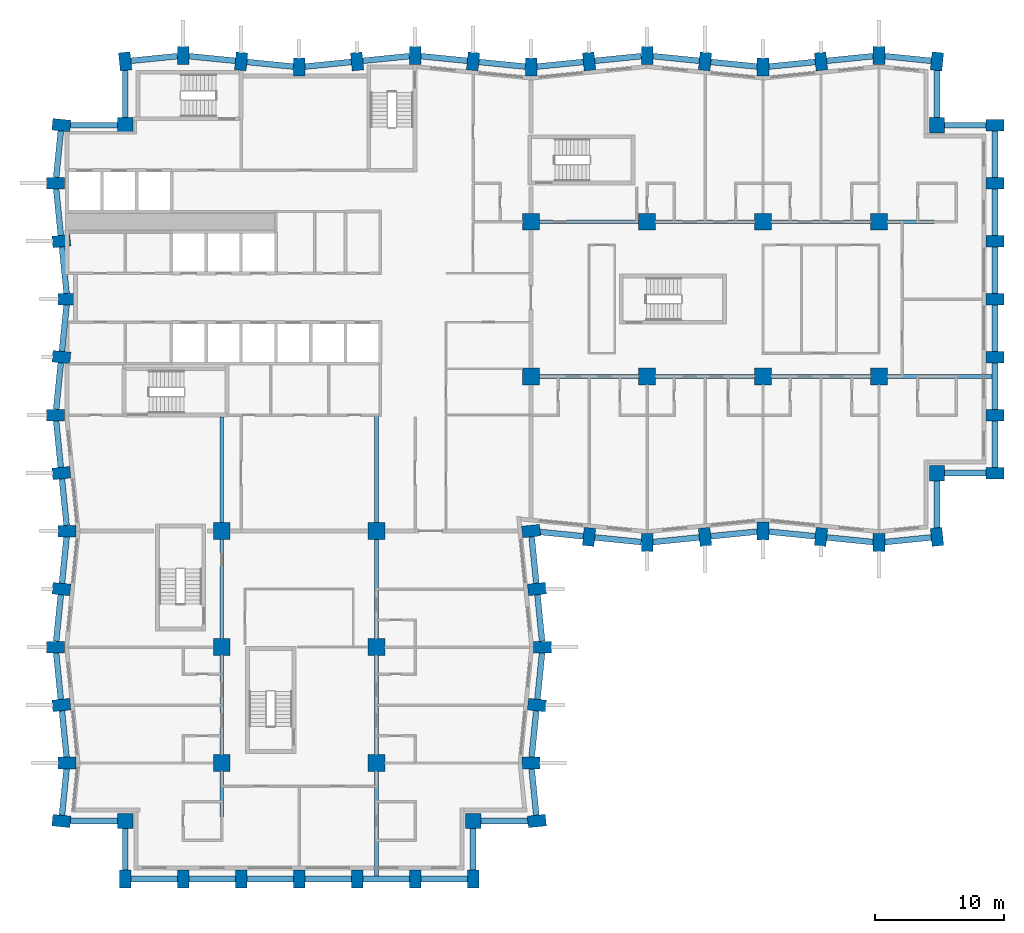
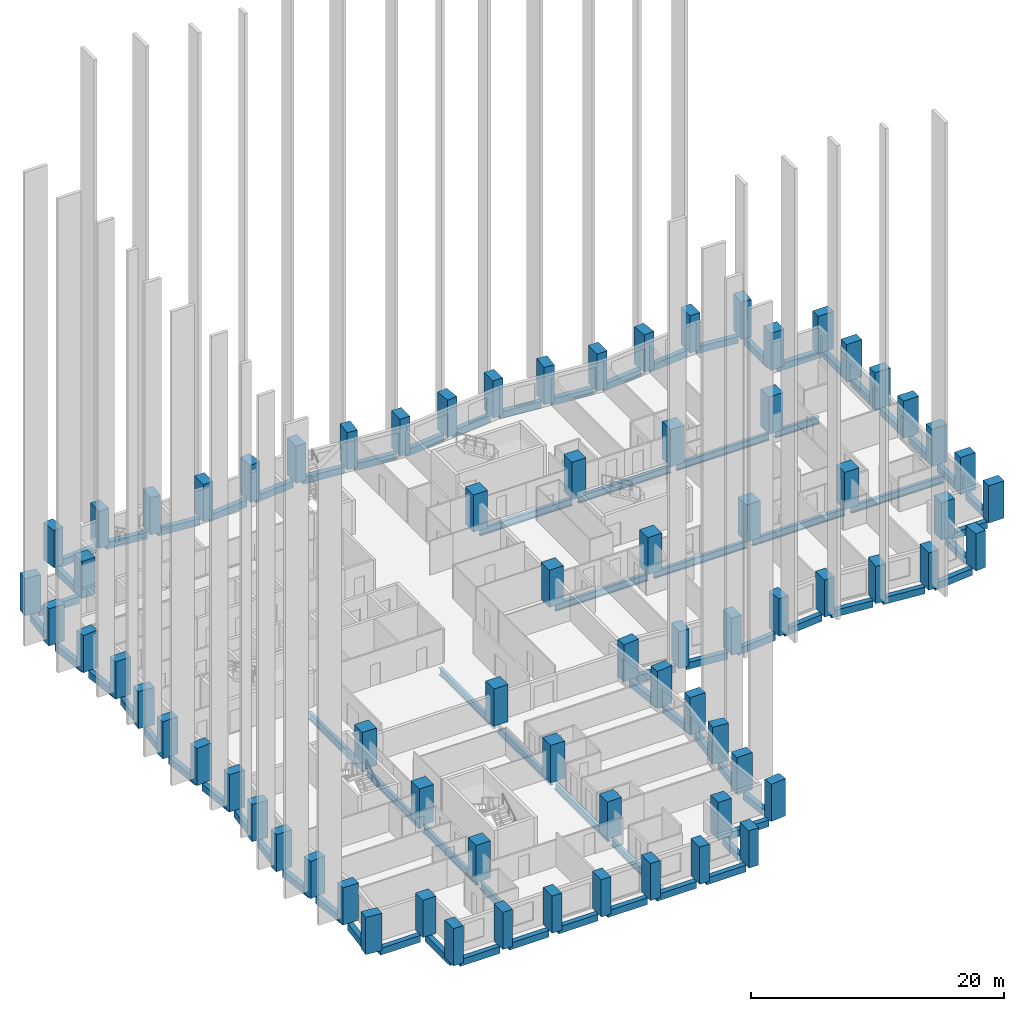
# One storey, part 1 of 13: 76 beams, 74 columns.
"""IFC4 building model written with IfcOpenShell, lengths in metres."""

from ifc_helpers import new_model, si_unit, direction, frame, origin, origin_2d, place, context, subcontext, project, spatial, rectangle, i_section, extrude, material, material_profile, profile_set, type_object, element, save


model = new_model("IFC4")

# Units and contexts
model_context = context("Model", 3, precision=1e-05, world=origin(), true_north=direction((0.0, 1.0)))
body_context = subcontext(model_context, "Body", "Model", "MODEL_VIEW")
ifc_project = project(units=[si_unit("LENGTHUNIT", "METRE"), si_unit("AREAUNIT", "SQUARE_METRE"), si_unit("VOLUMEUNIT", "CUBIC_METRE"), si_unit("PLANEANGLEUNIT", "RADIAN"), si_unit("MASSUNIT", "GRAM", prefix="KILO")], contexts=[model_context])

# Site, building, storey
site_placement = place(None, origin())
site = spatial("IfcSite", under=ifc_project, at=site_placement, CompositionType="ELEMENT")
building_placement = place(site_placement, origin())
building = spatial("IfcBuilding", under=site, at=building_placement, Name="Brondeck Convention Tower", CompositionType="ELEMENT")
storey_placement = place(building_placement, frame((0.0, 0.0, 37.5)))
storey = spatial("IfcBuildingStorey", under=building, at=storey_placement, Name="L06", CompositionType="ELEMENT", Elevation=37.5)

# Columns
ifc_material_1 = material(Name="Concrete C80/95", Category="concrete")
ifc_material_profile_1 = material_profile(ifc_material_1, rectangle(XDim=1.199951171875, YDim=1.199951171875, at=origin_2d()), Name="Corner column 1200x1200 Concrete C80/95")
ifc_profile_set_1 = profile_set([ifc_material_profile_1], Name="Concrete C80/95")
column_type_1 = type_object("IfcColumnType", Name="Corner column 1200x1200 Concrete C80/95", PredefinedType="COLUMN", material=ifc_profile_set_1)
for number, where, z_axis, x_axis, name in (
    (1, (4.5, 4.5, 0.0), (0.0, 0.0, 1.0), (1.0, 0.0, 0.0), "STR-COL-L06-NC-SWB0"),
    (2, (31.5, 4.5, 0.0), (0.0, 0.0, 1.0), (1.0, 0.0, 0.0), "STR-COL-L06-NC-SEB0"),
    (3, (67.5, 31.5, 0.0), (0.0, 0.0, 1.0), (1.0, 0.0, 0.0), "STR-COL-L06-NC-SEA72"),
    (4, (67.5, 58.5, 0.0), (0.0, 0.0, 1.0), (1.0, 0.0, 0.0), "STR-COL-L06-NC-NEA72"),
    (5, (4.5, 58.5, 0.0), (0.0, 0.0, 1.0), (1.0, 0.0, 0.0), "STR-COL-L06-NC-NW"),
):
    element("IfcColumn", number, at=place(storey_placement, frame(where, z_axis=z_axis, x_axis=x_axis)), inside=storey, type_object=column_type_1, Name=name, PredefinedType="COLUMN", context=body_context, shape_type="SweptSolid", body=[
        extrude(rectangle(XDim=1.199951171875, YDim=1.199951171875, at=origin_2d()), origin(), (0.0, 0.0, 1.0), 3.60009765625),
    ])
ifc_material_profile_2 = material_profile(ifc_material_1, rectangle(XDim=1.300048828125, YDim=1.300048828125, at=origin_2d()), Name="Interior column 1300x1300 Concrete C80/95")
ifc_profile_set_2 = profile_set([ifc_material_profile_2], Name="Concrete C80/95")
column_type_2 = type_object("IfcColumnType", Name="Interior column 1300x1300 Concrete C80/95", PredefinedType="COLUMN", material=ifc_profile_set_2)
for number, where, z_axis, x_axis, name in (
    (6, (12.0, 9.0, 0.0), (0.0, 0.0, 1.0), (1.0, 0.0, 0.0), "STR-COL-L06-IC-01"),
    (7, (12.0, 18.0, 0.0), (0.0, 0.0, 1.0), (1.0, 0.0, 0.0), "STR-COL-L06-IC-02"),
    (8, (12.0, 27.0, 0.0), (0.0, 0.0, 1.0), (1.0, 0.0, 0.0), "STR-COL-L06-IC-03"),
    (9, (24.0, 9.0, 0.0), (0.0, 0.0, 1.0), (1.0, 0.0, 0.0), "STR-COL-L06-IC-04"),
    (10, (24.0, 18.0, 0.0), (0.0, 0.0, 1.0), (1.0, 0.0, 0.0), "STR-COL-L06-IC-05"),
    (11, (24.0, 27.0, 0.0), (0.0, 0.0, 1.0), (1.0, 0.0, 0.0), "STR-COL-L06-IC-06"),
    (12, (36.0, 39.0, 0.0), (0.0, 0.0, 1.0), (1.0, 0.0, 0.0), "STR-COL-L06-IC-07"),
    (13, (36.0, 51.0, 0.0), (0.0, 0.0, 1.0), (1.0, 0.0, 0.0), "STR-COL-L06-IC-08"),
    (14, (45.0, 39.0, 0.0), (0.0, 0.0, 1.0), (1.0, 0.0, 0.0), "STR-COL-L06-IC-09"),
    (15, (45.0, 51.0, 0.0), (0.0, 0.0, 1.0), (1.0, 0.0, 0.0), "STR-COL-L06-IC-10"),
    (16, (54.0, 39.0, 0.0), (0.0, 0.0, 1.0), (1.0, 0.0, 0.0), "STR-COL-L06-IC-11"),
    (17, (54.0, 51.0, 0.0), (0.0, 0.0, 1.0), (1.0, 0.0, 0.0), "STR-COL-L06-IC-12"),
    (18, (63.0, 39.0, 0.0), (0.0, 0.0, 1.0), (1.0, 0.0, 0.0), "STR-COL-L06-IC-13"),
    (19, (63.0, 51.0, 0.0), (0.0, 0.0, 1.0), (1.0, 0.0, 0.0), "STR-COL-L06-IC-14"),
):
    element("IfcColumn", number, at=place(storey_placement, frame(where, z_axis=z_axis, x_axis=x_axis)), inside=storey, type_object=column_type_2, Name=name, PredefinedType="COLUMN", context=body_context, shape_type="SweptSolid", body=[
        extrude(rectangle(XDim=1.300048828125, YDim=1.300048828125, at=origin_2d()), origin(), (0.0, 0.0, 1.0), 3.60009765625),
    ])
ifc_material_profile_3 = material_profile(ifc_material_1, rectangle(XDim=0.89990234375, YDim=1.39990234375, at=origin_2d()), Name="Perimeter pier 900x1400 Concrete C80/95")
ifc_profile_set_3 = profile_set([ifc_material_profile_3], Name="Concrete C80/95")
column_type_3 = type_object("IfcColumnType", Name="Perimeter pier 900x1400 Concrete C80/95", PredefinedType="COLUMN", material=ifc_profile_set_3)
for number, where, z_axis, x_axis, name in (
    (20, (4.5, 0.0, 0.0), (0.0, 0.0, 1.0), (1.0, 0.0, 0.0), "STR-COL-L06-PC-B-S0-01"),
    (21, (9.0, 0.0, 0.0), (0.0, 0.0, 1.0), (1.0, 0.0, 0.0), "STR-COL-L06-PC-B-S0-02"),
    (22, (13.5, 0.0, 0.0), (0.0, 0.0, 1.0), (1.0, 0.0, 0.0), "STR-COL-L06-PC-B-S0-03"),
    (23, (18.0, 0.0, 0.0), (0.0, 0.0, 1.0), (1.0, 0.0, 0.0), "STR-COL-L06-PC-B-S0-04"),
    (24, (22.5, 0.0, 0.0), (0.0, 0.0, 1.0), (1.0, 0.0, 0.0), "STR-COL-L06-PC-B-S0-05"),
    (25, (27.0, 0.0, 0.0), (0.0, 0.0, 1.0), (1.0, 0.0, 0.0), "STR-COL-L06-PC-B-S0-06"),
    (26, (31.5, 0.0, 0.0), (0.0, 0.0, 1.0), (1.0, 0.0, 0.0), "STR-COL-L06-PC-B-S0-07"),
    (27, (36.449951171875, 4.5, 0.0), (0.0, 0.0, 1.0), (-0.0995038382, 0.995037178292, 0.0), "STR-COL-L06-PC-B-E-05"),
    (28, (36.0, 9.0, 0.0), (0.0, 0.0, 1.0), (0.0, 1.0, 0.0), "STR-COL-L06-PC-B-E-04"),
    (29, (36.449951171875, 13.5, 0.0), (0.0, 0.0, 1.0), (0.0995038382, 0.995037178292, 0.0), "STR-COL-L06-PC-B-E-03"),
    (30, (36.89990234375, 18.0, 0.0), (0.0, 0.0, 1.0), (0.0, 1.0, 0.0), "STR-COL-L06-PC-B-E-02"),
    (31, (36.449951171875, 22.5, 0.0), (0.0, 0.0, 1.0), (-0.0995038382, 0.995037178292, 0.0), "STR-COL-L06-PC-B-E-01"),
    (32, (36.0, 27.0, 0.0), (0.0, 0.0, 1.0), (-0.0995038382, 0.995037178292, 0.0), "STR-COL-L06-PC-B-E-00"),
    (33, (40.5, 26.550048828125, 0.0), (0.0, 0.0, 1.0), (0.995037178292, -0.0995038382, 0.0), "STR-COL-L06-PC-A-S-01"),
    (34, (45.0, 26.10009765625, 0.0), (0.0, 0.0, 1.0), (1.0, 0.0, 0.0), "STR-COL-L06-PC-A-S-02"),
    (35, (49.5, 26.550048828125, 0.0), (0.0, 0.0, 1.0), (0.995037178292, 0.0995038382, 0.0), "STR-COL-L06-PC-A-S-03"),
    (36, (54.0, 27.0, 0.0), (0.0, 0.0, 1.0), (1.0, 0.0, 0.0), "STR-COL-L06-PC-A-S-04"),
    (37, (58.5, 26.550048828125, 0.0), (0.0, 0.0, 1.0), (0.995037178292, -0.0995038382, 0.0), "STR-COL-L06-PC-A-S-05"),
    (38, (63.0, 26.10009765625, 0.0), (0.0, 0.0, 1.0), (1.0, 0.0, 0.0), "STR-COL-L06-PC-A-S-06"),
    (39, (67.5, 26.550048828125, 0.0), (0.0, 0.0, 1.0), (0.995037178292, 0.0995038382, 0.0), "STR-COL-L06-PC-A-S-07"),
    (40, (72.0, 31.5, 0.0), (0.0, 0.0, 1.0), (0.0, 1.0, 0.0), "STR-COL-L06-PC-A-E72-01"),
    (41, (72.0, 36.0, 0.0), (0.0, 0.0, 1.0), (0.0, 1.0, 0.0), "STR-COL-L06-PC-A-E72-02"),
    (42, (72.0, 40.5, 0.0), (0.0, 0.0, 1.0), (0.0, 1.0, 0.0), "STR-COL-L06-PC-A-E72-03"),
    (43, (72.0, 45.0, 0.0), (0.0, 0.0, 1.0), (0.0, 1.0, 0.0), "STR-COL-L06-PC-A-E72-04"),
    (44, (72.0, 49.5, 0.0), (0.0, 0.0, 1.0), (0.0, 1.0, 0.0), "STR-COL-L06-PC-A-E72-05"),
    (45, (72.0, 54.0, 0.0), (0.0, 0.0, 1.0), (0.0, 1.0, 0.0), "STR-COL-L06-PC-A-E72-06"),
    (46, (72.0, 58.5, 0.0), (0.0, 0.0, 1.0), (0.0, 1.0, 0.0), "STR-COL-L06-PC-A-E72-07"),
    (47, (67.5, 63.449951171875, 0.0), (0.0, 0.0, 1.0), (-0.995037178292, 0.0995038382, 0.0), "STR-COL-L06-PC-A-N-15"),
    (48, (63.0, 63.89990234375, 0.0), (0.0, 0.0, 1.0), (-1.0, 0.0, 0.0), "STR-COL-L06-PC-A-N-14"),
    (49, (58.5, 63.449951171875, 0.0), (0.0, 0.0, 1.0), (-0.995037178292, -0.0995038382, 0.0), "STR-COL-L06-PC-A-N-13"),
    (50, (54.0, 63.0, 0.0), (0.0, 0.0, 1.0), (-1.0, 0.0, 0.0), "STR-COL-L06-PC-A-N-12"),
    (51, (49.5, 63.449951171875, 0.0), (0.0, 0.0, 1.0), (-0.995037178292, 0.0995038382, 0.0), "STR-COL-L06-PC-A-N-11"),
    (52, (45.0, 63.89990234375, 0.0), (0.0, 0.0, 1.0), (-1.0, 0.0, 0.0), "STR-COL-L06-PC-A-N-10"),
    (53, (40.5, 63.449951171875, 0.0), (0.0, 0.0, 1.0), (-0.995037178292, -0.0995038382, 0.0), "STR-COL-L06-PC-A-N-09"),
    (54, (36.0, 63.0, 0.0), (0.0, 0.0, 1.0), (-1.0, 0.0, 0.0), "STR-COL-L06-PC-A-N-08"),
    (55, (31.5, 63.449951171875, 0.0), (0.0, 0.0, 1.0), (-0.995037178292, 0.0995038382, 0.0), "STR-COL-L06-PC-A-N-07"),
    (56, (27.0, 63.89990234375, 0.0), (0.0, 0.0, 1.0), (-1.0, 0.0, 0.0), "STR-COL-L06-PC-A-N-06"),
    (57, (22.5, 63.449951171875, 0.0), (0.0, 0.0, 1.0), (-0.995037178292, -0.0995038382, 0.0), "STR-COL-L06-PC-A-N-05"),
    (58, (18.0, 63.0, 0.0), (0.0, 0.0, 1.0), (-1.0, 0.0, 0.0), "STR-COL-L06-PC-A-N-04"),
    (59, (13.5, 63.449951171875, 0.0), (0.0, 0.0, 1.0), (-0.995037178292, 0.0995038382, 0.0), "STR-COL-L06-PC-A-N-03"),
    (60, (9.0, 63.89990234375, 0.0), (0.0, 0.0, 1.0), (-1.0, 0.0, 0.0), "STR-COL-L06-PC-A-N-02"),
    (61, (4.5, 63.449951171875, 0.0), (0.0, 0.0, 1.0), (-0.995037178292, -0.0995038382, 0.0), "STR-COL-L06-PC-A-N-01"),
    (62, (-0.449951171875, 58.5, 0.0), (0.0, 0.0, 1.0), (-0.0995038382, -0.995037178292, 0.0), "STR-COL-L06-PC-B-W-01"),
    (63, (-0.89990234375, 54.0, 0.0), (0.0, 0.0, 1.0), (0.0, -1.0, 0.0), "STR-COL-L06-PC-B-W-02"),
    (64, (-0.449951171875, 49.5, 0.0), (0.0, 0.0, 1.0), (0.0995038382, -0.995037178292, 0.0), "STR-COL-L06-PC-B-W-03"),
    (65, (0.0, 45.0, 0.0), (0.0, 0.0, 1.0), (0.0, -1.0, 0.0), "STR-COL-L06-PC-B-W-04"),
    (66, (-0.449951171875, 40.5, 0.0), (0.0, 0.0, 1.0), (-0.0995038382, -0.995037178292, 0.0), "STR-COL-L06-PC-B-W-05"),
    (67, (-0.89990234375, 36.0, 0.0), (0.0, 0.0, 1.0), (0.0, -1.0, 0.0), "STR-COL-L06-PC-B-W-06"),
    (68, (-0.449951171875, 31.5, 0.0), (0.0, 0.0, 1.0), (0.0995038382, -0.995037178292, 0.0), "STR-COL-L06-PC-B-W-07"),
    (69, (0.0, 27.0, 0.0), (0.0, 0.0, 1.0), (0.0, -1.0, 0.0), "STR-COL-L06-PC-B-W-08"),
    (70, (-0.449951171875, 22.5, 0.0), (0.0, 0.0, 1.0), (-0.0995038382, -0.995037178292, 0.0), "STR-COL-L06-PC-B-W-09"),
    (71, (-0.89990234375, 18.0, 0.0), (0.0, 0.0, 1.0), (0.0, -1.0, 0.0), "STR-COL-L06-PC-B-W-10"),
    (72, (-0.449951171875, 13.5, 0.0), (0.0, 0.0, 1.0), (0.0995038382, -0.995037178292, 0.0), "STR-COL-L06-PC-B-W-11"),
    (73, (0.0, 9.0, 0.0), (0.0, 0.0, 1.0), (0.0, -1.0, 0.0), "STR-COL-L06-PC-B-W-12"),
    (74, (-0.449951171875, 4.5, 0.0), (0.0, 0.0, 1.0), (-0.0995038382, -0.995037178292, 0.0), "STR-COL-L06-PC-B-W-13"),
):
    element("IfcColumn", number, at=place(storey_placement, frame(where, z_axis=z_axis, x_axis=x_axis)), inside=storey, type_object=column_type_3, Name=name, PredefinedType="COLUMN", context=body_context, shape_type="SweptSolid", body=[
        extrude(rectangle(XDim=0.89990234375, YDim=1.39990234375, at=origin_2d()), origin(), (0.0, 0.0, 1.0), 3.60009765625),
    ])

# Beams
ifc_material_2 = material(Name="Steel S355", Category="steel")
ifc_material_profile_4 = material_profile(ifc_material_2, i_section(OverallWidth=0.300048828125, OverallDepth=0.699951171875, WebThickness=0.01708984375, FlangeThickness=0.031982421875, FilletRadius=0.027099609375, at=origin_2d()), Name="HEB 700")
ifc_profile_set_4 = profile_set([ifc_material_profile_4], Name="Steel S355")
beam_type_1 = type_object("IfcBeamType", Name="Girder HEB 700", PredefinedType="BEAM", material=ifc_profile_set_4)
for number, where, z_axis, x_axis, name in (
    (75, (36.27001953125, 39.0, -0.64990234375), (1.0, 0.0, 0.0), (0.0, 1.0, 0.0), "STR-GR-L06-001"),
    (76, (45.27001953125, 39.0, -0.64990234375), (1.0, 0.0, 0.0), (0.0, 1.0, 0.0), "STR-GR-L06-002"),
    (77, (54.27001953125, 39.0, -0.64990234375), (1.0, 0.0, 0.0), (0.0, 1.0, 0.0), "STR-GR-L06-003"),
):
    element("IfcBeam", number, at=place(storey_placement, frame(where, z_axis=z_axis, x_axis=x_axis)), inside=storey, type_object=beam_type_1, Name=name, PredefinedType="BEAM", context=body_context, shape_type="SweptSolid", body=[
        extrude(i_section(OverallWidth=0.300048828125, OverallDepth=0.699951171875, WebThickness=0.01708984375, FlangeThickness=0.031982421875, FilletRadius=0.027099609375, at=origin_2d()), origin(), (0.0, 0.0, 1.0), 8.4599609375),
    ])
beam_1_placement = place(storey_placement, frame((63.27001953125, 39.0, -0.64990234375), z_axis=(1.0, 0.0, 0.0), x_axis=(0.0, 1.0, 0.0)))
element("IfcBeam", 78, at=beam_1_placement, inside=storey, type_object=beam_type_1, Name="STR-GR-L06-004", PredefinedType="BEAM", context=body_context, shape_type="SweptSolid", body=[
    extrude(i_section(OverallWidth=0.300048828125, OverallDepth=0.699951171875, WebThickness=0.01708984375, FlangeThickness=0.031982421875, FilletRadius=0.027099609375, at=origin_2d()), origin(), (0.0, 0.0, 1.0), 8.47998046875),
])
for number, where, z_axis, x_axis, name in (
    (79, (36.27001953125, 51.0, -0.64990234375), (1.0, 0.0, 0.0), (0.0, 1.0, 0.0), "STR-GR-L06-005"),
    (80, (45.27001953125, 51.0, -0.64990234375), (1.0, 0.0, 0.0), (0.0, 1.0, 0.0), "STR-GR-L06-006"),
    (81, (54.27001953125, 51.0, -0.64990234375), (1.0, 0.0, 0.0), (0.0, 1.0, 0.0), "STR-GR-L06-007"),
):
    element("IfcBeam", number, at=place(storey_placement, frame(where, z_axis=z_axis, x_axis=x_axis)), inside=storey, type_object=beam_type_1, Name=name, PredefinedType="BEAM", context=body_context, shape_type="SweptSolid", body=[
        extrude(i_section(OverallWidth=0.300048828125, OverallDepth=0.699951171875, WebThickness=0.01708984375, FlangeThickness=0.031982421875, FilletRadius=0.027099609375, at=origin_2d()), origin(), (0.0, 0.0, 1.0), 8.4599609375),
    ])
beam_2_placement = place(storey_placement, frame((63.27001953125, 51.0, -0.64990234375), z_axis=(1.0, 0.0, 0.0), x_axis=(0.0, 1.0, 0.0)))
element("IfcBeam", 82, at=beam_2_placement, inside=storey, type_object=beam_type_1, Name="STR-GR-L06-008", PredefinedType="BEAM", context=body_context, shape_type="SweptSolid", body=[
    extrude(i_section(OverallWidth=0.300048828125, OverallDepth=0.699951171875, WebThickness=0.01708984375, FlangeThickness=0.031982421875, FilletRadius=0.027099609375, at=origin_2d()), origin(), (0.0, 0.0, 1.0), 4.030029296875),
])
beam_3_placement = place(storey_placement, frame((12.0, 35.85009765625, -0.64990234375), z_axis=(0.0, -1.0, 0.0), x_axis=(1.0, 0.0, 0.0)))
element("IfcBeam", 83, at=beam_3_placement, inside=storey, type_object=beam_type_1, Name="STR-GR-L06-009", PredefinedType="BEAM", context=body_context, shape_type="SweptSolid", body=[
    extrude(i_section(OverallWidth=0.300048828125, OverallDepth=0.699951171875, WebThickness=0.01708984375, FlangeThickness=0.031982421875, FilletRadius=0.027099609375, at=origin_2d()), origin(), (0.0, 0.0, 1.0), 8.580078125),
])
for number, where, z_axis, x_axis, name in (
    (84, (12.0, 26.72998046875, -0.64990234375), (0.0, -1.0, 0.0), (1.0, 0.0, 0.0), "STR-GR-L06-010"),
    (85, (12.0, 17.72998046875, -0.64990234375), (0.0, -1.0, 0.0), (1.0, 0.0, 0.0), "STR-GR-L06-011"),
):
    element("IfcBeam", number, at=place(storey_placement, frame(where, z_axis=z_axis, x_axis=x_axis)), inside=storey, type_object=beam_type_1, Name=name, PredefinedType="BEAM", context=body_context, shape_type="SweptSolid", body=[
        extrude(i_section(OverallWidth=0.300048828125, OverallDepth=0.699951171875, WebThickness=0.01708984375, FlangeThickness=0.031982421875, FilletRadius=0.027099609375, at=origin_2d()), origin(), (0.0, 0.0, 1.0), 8.4599609375),
    ])
beam_4_placement = place(storey_placement, frame((12.0, 8.72998046875, -0.64990234375), z_axis=(0.0, -1.0, 0.0), x_axis=(1.0, 0.0, 0.0)))
element("IfcBeam", 86, at=beam_4_placement, inside=storey, type_object=beam_type_1, Name="STR-GR-L06-012", PredefinedType="BEAM", context=body_context, shape_type="SweptSolid", body=[
    extrude(i_section(OverallWidth=0.300048828125, OverallDepth=0.699951171875, WebThickness=0.01708984375, FlangeThickness=0.031982421875, FilletRadius=0.027099609375, at=origin_2d()), origin(), (0.0, 0.0, 1.0), 3.929931640625),
])
beam_5_placement = place(storey_placement, frame((24.0, 35.955078125, -0.64990234375), z_axis=(0.0, -1.0, 0.0), x_axis=(1.0, 0.0, 0.0)))
element("IfcBeam", 87, at=beam_5_placement, inside=storey, type_object=beam_type_1, Name="STR-GR-L06-013", PredefinedType="BEAM", context=body_context, shape_type="SweptSolid", body=[
    extrude(i_section(OverallWidth=0.300048828125, OverallDepth=0.699951171875, WebThickness=0.01708984375, FlangeThickness=0.031982421875, FilletRadius=0.027099609375, at=origin_2d()), origin(), (0.0, 0.0, 1.0), 8.68505859375),
])
for number, where, z_axis, x_axis, name in (
    (88, (24.0, 26.72998046875, -0.64990234375), (0.0, -1.0, 0.0), (1.0, 0.0, 0.0), "STR-GR-L06-014"),
    (89, (24.0, 17.72998046875, -0.64990234375), (0.0, -1.0, 0.0), (1.0, 0.0, 0.0), "STR-GR-L06-015"),
):
    element("IfcBeam", number, at=place(storey_placement, frame(where, z_axis=z_axis, x_axis=x_axis)), inside=storey, type_object=beam_type_1, Name=name, PredefinedType="BEAM", context=body_context, shape_type="SweptSolid", body=[
        extrude(i_section(OverallWidth=0.300048828125, OverallDepth=0.699951171875, WebThickness=0.01708984375, FlangeThickness=0.031982421875, FilletRadius=0.027099609375, at=origin_2d()), origin(), (0.0, 0.0, 1.0), 8.4599609375),
    ])
beam_6_placement = place(storey_placement, frame((24.0, 8.72998046875, -0.64990234375), z_axis=(0.0, -1.0, 0.0), x_axis=(1.0, 0.0, 0.0)))
element("IfcBeam", 90, at=beam_6_placement, inside=storey, type_object=beam_type_1, Name="STR-GR-L06-016", PredefinedType="BEAM", context=body_context, shape_type="SweptSolid", body=[
    extrude(i_section(OverallWidth=0.300048828125, OverallDepth=0.699951171875, WebThickness=0.01708984375, FlangeThickness=0.031982421875, FilletRadius=0.027099609375, at=origin_2d()), origin(), (0.0, 0.0, 1.0), 8.47998046875),
])
ifc_material_profile_5 = material_profile(ifc_material_1, rectangle(XDim=0.449951171875, YDim=0.64990234375, at=origin_2d()), Name="Precast spandrel 450x650 Concrete C80/95")
ifc_profile_set_5 = profile_set([ifc_material_profile_5], Name="Concrete C80/95")
beam_type_2 = type_object("IfcBeamType", Name="Precast spandrel 450x650 Concrete C80/95", PredefinedType="SPANDREL", material=ifc_profile_set_5)
for number, where, z_axis, x_axis, name in (
    (91, (4.949951171875, 0.0, -0.324951171875), (1.0, 0.0, 0.0), (0.0, 1.0, 0.0), "STR-SP-L06-001"),
    (92, (9.449951171875, 0.0, -0.324951171875), (1.0, 0.0, 0.0), (0.0, 1.0, 0.0), "STR-SP-L06-002"),
    (93, (13.949951171875, 0.0, -0.324951171875), (1.0, 0.0, 0.0), (0.0, 1.0, 0.0), "STR-SP-L06-003"),
    (94, (18.449951171875, 0.0, -0.324951171875), (1.0, 0.0, 0.0), (0.0, 1.0, 0.0), "STR-SP-L06-004"),
    (95, (22.949951171875, 0.0, -0.324951171875), (1.0, 0.0, 0.0), (0.0, 1.0, 0.0), "STR-SP-L06-005"),
    (96, (27.449951171875, 0.0, -0.324951171875), (1.0, 0.0, 0.0), (0.0, 1.0, 0.0), "STR-SP-L06-006"),
):
    element("IfcBeam", number, at=place(storey_placement, frame(where, z_axis=z_axis, x_axis=x_axis)), inside=storey, type_object=beam_type_2, Name=name, PredefinedType="SPANDREL", context=body_context, shape_type="SweptSolid", body=[
        extrude(rectangle(XDim=0.449951171875, YDim=0.64990234375, at=origin_2d()), origin(), (0.0, 0.0, 1.0), 3.60009765625),
    ])
beam_7_placement = place(storey_placement, frame((31.5, 0.699951171875, -0.324951171875), z_axis=(0.0, 1.0, 0.0), x_axis=(-1.0, 0.0, 0.0)))
element("IfcBeam", 97, at=beam_7_placement, inside=storey, type_object=beam_type_2, Name="STR-SP-L06-007", PredefinedType="SPANDREL", context=body_context, shape_type="SweptSolid", body=[
    extrude(rectangle(XDim=0.449951171875, YDim=0.64990234375, at=origin_2d()), origin(), (0.0, 0.0, 1.0), 3.199951171875),
])
beam_8_placement = place(storey_placement, frame((32.10009765625, 4.5, -0.324951171875), z_axis=(1.0, 0.0, 0.0), x_axis=(0.0, 1.0, 0.0)))
element("IfcBeam", 98, at=beam_8_placement, inside=storey, type_object=beam_type_2, Name="STR-SP-L06-008", PredefinedType="SPANDREL", context=body_context, shape_type="SweptSolid", body=[
    extrude(rectangle(XDim=0.449951171875, YDim=0.64990234375, at=origin_2d()), origin(), (0.0, 0.0, 1.0), 3.646484375),
])
for number, where, z_axis, x_axis, name in (
    (99, (36.4052734375, 4.94775390625, -0.324951171875), (-0.099537103649, 0.995033851182, 0.0), (-0.995033851182, -0.099537103649, 0.0), "STR-SP-L06-009"),
    (100, (36.044921875, 9.449951171875, -0.324951171875), (0.099537103649, 0.995033851182, 0.0), (-0.995033851182, 0.099537103649, 0.0), "STR-SP-L06-010"),
    (101, (36.494873046875, 13.94775390625, -0.324951171875), (0.099470334057, 0.995040528141, 0.0), (-0.995040528141, 0.099470334057, 0.0), "STR-SP-L06-011"),
    (102, (36.85498046875, 18.449951171875, -0.324951171875), (-0.099470334057, 0.995040528141, 0.0), (-0.995040528141, -0.099470334057, 0.0), "STR-SP-L06-012"),
):
    element("IfcBeam", number, at=place(storey_placement, frame(where, z_axis=z_axis, x_axis=x_axis)), inside=storey, type_object=beam_type_2, Name=name, PredefinedType="SPANDREL", context=body_context, shape_type="SweptSolid", body=[
        extrude(rectangle(XDim=0.449951171875, YDim=0.64990234375, at=origin_2d()), origin(), (0.0, 0.0, 1.0), 3.620361328125),
    ])
beam_9_placement = place(storey_placement, frame((36.4052734375, 22.94775390625, -0.324951171875), z_axis=(-0.099543756114, 0.995033185687, 0.0), x_axis=(-0.995033185687, -0.099543756114, 0.0)))
element("IfcBeam", 103, at=beam_9_placement, inside=storey, type_object=beam_type_2, Name="STR-SP-L06-013", PredefinedType="SPANDREL", context=body_context, shape_type="SweptSolid", body=[
    extrude(rectangle(XDim=0.449951171875, YDim=0.64990234375, at=origin_2d()), origin(), (0.0, 0.0, 1.0), 3.62255859375),
])
beam_10_placement = place(storey_placement, frame((36.710693359375, 26.928955078125, -0.324951171875), z_axis=(0.995035030591, -0.099525312843, 0.0), x_axis=(0.099525312843, 0.995035030591, 0.0)))
element("IfcBeam", 104, at=beam_10_placement, inside=storey, type_object=beam_type_2, Name="STR-SP-L06-014", PredefinedType="SPANDREL", context=body_context, shape_type="SweptSolid", body=[
    extrude(rectangle(XDim=0.449951171875, YDim=0.64990234375, at=origin_2d()), origin(), (0.0, 0.0, 1.0), 3.358154296875),
])
for number, where, z_axis, x_axis, name in (
    (105, (40.94775390625, 26.505126953125, -0.324951171875), (0.995040528141, -0.099470334057, 0.0), (0.099470334057, 0.995040528141, 0.0), "STR-SP-L06-015"),
    (106, (45.449951171875, 26.14501953125, -0.324951171875), (0.995040528141, 0.099470334057, 0.0), (-0.099470334057, 0.995040528141, 0.0), "STR-SP-L06-016"),
    (107, (49.94775390625, 26.5947265625, -0.324951171875), (0.995033851182, 0.099537103649, 0.0), (-0.099537103649, 0.995033851182, 0.0), "STR-SP-L06-017"),
    (108, (54.449951171875, 26.955078125, -0.324951171875), (0.995033851182, -0.099537103649, 0.0), (0.099537103649, 0.995033851182, 0.0), "STR-SP-L06-018"),
    (109, (58.94775390625, 26.505126953125, -0.324951171875), (0.995040528141, -0.099470334057, 0.0), (0.099470334057, 0.995040528141, 0.0), "STR-SP-L06-019"),
    (110, (63.449951171875, 26.14501953125, -0.324951171875), (0.995040528141, 0.099470334057, 0.0), (-0.099470334057, 0.995040528141, 0.0), "STR-SP-L06-020"),
):
    element("IfcBeam", number, at=place(storey_placement, frame(where, z_axis=z_axis, x_axis=x_axis)), inside=storey, type_object=beam_type_2, Name=name, PredefinedType="SPANDREL", context=body_context, shape_type="SweptSolid", body=[
        extrude(rectangle(XDim=0.449951171875, YDim=0.64990234375, at=origin_2d()), origin(), (0.0, 0.0, 1.0), 3.620361328125),
    ])
beam_11_placement = place(storey_placement, frame((67.5, 27.25341796875, -0.324951171875), z_axis=(0.0, 1.0, 0.0), x_axis=(-1.0, 0.0, 0.0)))
element("IfcBeam", 111, at=beam_11_placement, inside=storey, type_object=beam_type_2, Name="STR-SP-L06-021", PredefinedType="SPANDREL", context=body_context, shape_type="SweptSolid", body=[
    extrude(rectangle(XDim=0.449951171875, YDim=0.64990234375, at=origin_2d()), origin(), (0.0, 0.0, 1.0), 3.646484375),
])
beam_12_placement = place(storey_placement, frame((68.10009765625, 31.5, -0.324951171875), z_axis=(1.0, 0.0, 0.0), x_axis=(0.0, 1.0, 0.0)))
element("IfcBeam", 112, at=beam_12_placement, inside=storey, type_object=beam_type_2, Name="STR-SP-L06-022", PredefinedType="SPANDREL", context=body_context, shape_type="SweptSolid", body=[
    extrude(rectangle(XDim=0.449951171875, YDim=0.64990234375, at=origin_2d()), origin(), (0.0, 0.0, 1.0), 3.199951171875),
])
for number, where, z_axis, x_axis, name in (
    (113, (72.0, 31.949951171875, -0.324951171875), (0.0, 1.0, 0.0), (-1.0, 0.0, 0.0), "STR-SP-L06-023"),
    (114, (72.0, 36.449951171875, -0.324951171875), (0.0, 1.0, 0.0), (-1.0, 0.0, 0.0), "STR-SP-L06-024"),
    (115, (72.0, 40.949951171875, -0.324951171875), (0.0, 1.0, 0.0), (-1.0, 0.0, 0.0), "STR-SP-L06-025"),
    (116, (72.0, 45.449951171875, -0.324951171875), (0.0, 1.0, 0.0), (-1.0, 0.0, 0.0), "STR-SP-L06-026"),
):
    element("IfcBeam", number, at=place(storey_placement, frame(where, z_axis=z_axis, x_axis=x_axis)), inside=storey, type_object=beam_type_2, Name=name, PredefinedType="SPANDREL", context=body_context, shape_type="SweptSolid", body=[
        extrude(rectangle(XDim=0.449951171875, YDim=0.64990234375, at=origin_2d()), origin(), (0.0, 0.0, 1.0), 3.60009765625),
    ])
for number, where, z_axis, x_axis, name in (
    (117, (72.0, 49.77001953125, -0.324951171875), (0.0, 1.0, 0.0), (-1.0, 0.0, 0.0), "STR-SP-L06-027"),
    (118, (72.0, 54.27001953125, -0.324951171875), (0.0, 1.0, 0.0), (-1.0, 0.0, 0.0), "STR-SP-L06-028"),
    (119, (71.72998046875, 58.5, -0.324951171875), (-1.0, 0.0, 0.0), (0.0, -1.0, 0.0), "STR-SP-L06-029"),
):
    element("IfcBeam", number, at=place(storey_placement, frame(where, z_axis=z_axis, x_axis=x_axis)), inside=storey, type_object=beam_type_2, Name=name, PredefinedType="SPANDREL", context=body_context, shape_type="SweptSolid", body=[
        extrude(rectangle(XDim=0.449951171875, YDim=0.64990234375, at=origin_2d()), origin(), (0.0, 0.0, 1.0), 3.9599609375),
    ])
beam_13_placement = place(storey_placement, frame((67.5, 59.10009765625, -0.324951171875), z_axis=(0.0, 1.0, 0.0), x_axis=(-1.0, 0.0, 0.0)))
element("IfcBeam", 120, at=beam_13_placement, inside=storey, type_object=beam_type_2, Name="STR-SP-L06-030", PredefinedType="SPANDREL", context=body_context, shape_type="SweptSolid", body=[
    extrude(rectangle(XDim=0.449951171875, YDim=0.64990234375, at=origin_2d()), origin(), (0.0, 0.0, 1.0), 3.646484375),
])
for number, where, z_axis, x_axis, name in (
    (121, (67.05224609375, 63.494873046875, -0.324951171875), (-0.995040528141, 0.099470334057, 0.0), (-0.099470334057, -0.995040528141, 0.0), "STR-SP-L06-031"),
    (122, (62.550048828125, 63.85498046875, -0.324951171875), (-0.995040528141, -0.099470334057, 0.0), (0.099470334057, -0.995040528141, 0.0), "STR-SP-L06-032"),
    (123, (58.05224609375, 63.4052734375, -0.324951171875), (-0.995033851182, -0.099537103649, 0.0), (0.099537103649, -0.995033851182, 0.0), "STR-SP-L06-033"),
    (124, (53.550048828125, 63.044921875, -0.324951171875), (-0.995033851182, 0.099537103649, 0.0), (-0.099537103649, -0.995033851182, 0.0), "STR-SP-L06-034"),
    (125, (49.05224609375, 63.494873046875, -0.324951171875), (-0.995040528141, 0.099470334057, 0.0), (-0.099470334057, -0.995040528141, 0.0), "STR-SP-L06-035"),
    (126, (44.550048828125, 63.85498046875, -0.324951171875), (-0.995040528141, -0.099470334057, 0.0), (0.099470334057, -0.995040528141, 0.0), "STR-SP-L06-036"),
    (127, (40.05224609375, 63.4052734375, -0.324951171875), (-0.995033851182, -0.099537103649, 0.0), (0.099537103649, -0.995033851182, 0.0), "STR-SP-L06-037"),
    (128, (35.550048828125, 63.044921875, -0.324951171875), (-0.995033851182, 0.099537103649, 0.0), (-0.099537103649, -0.995033851182, 0.0), "STR-SP-L06-038"),
    (129, (31.05224609375, 63.494873046875, -0.324951171875), (-0.995040528141, 0.099470334057, 0.0), (-0.099470334057, -0.995040528141, 0.0), "STR-SP-L06-039"),
):
    element("IfcBeam", number, at=place(storey_placement, frame(where, z_axis=z_axis, x_axis=x_axis)), inside=storey, type_object=beam_type_2, Name=name, PredefinedType="SPANDREL", context=body_context, shape_type="SweptSolid", body=[
        extrude(rectangle(XDim=0.449951171875, YDim=0.64990234375, at=origin_2d()), origin(), (0.0, 0.0, 1.0), 3.620361328125),
    ])
beam_14_placement = place(storey_placement, frame((26.550048828125, 63.85498046875, -0.324951171875), z_axis=(-0.99503586755, -0.099516944734, 0.0), x_axis=(0.099516944734, -0.99503586755, 0.0)))
element("IfcBeam", 130, at=beam_14_placement, inside=storey, type_object=beam_type_2, Name="STR-SP-L06-040", PredefinedType="SPANDREL", context=body_context, shape_type="SweptSolid", body=[
    extrude(rectangle(XDim=0.449951171875, YDim=0.64990234375, at=origin_2d()), origin(), (0.0, 0.0, 1.0), 3.6552734375),
])
for number, where, z_axis, x_axis, name in (
    (131, (22.05224609375, 63.4052734375, -0.324951171875), (-0.995033851182, -0.099537103649, 0.0), (0.099537103649, -0.995033851182, 0.0), "STR-SP-L06-041"),
    (132, (17.550048828125, 63.044921875, -0.324951171875), (-0.995033851182, 0.099537103649, 0.0), (-0.099537103649, -0.995033851182, 0.0), "STR-SP-L06-042"),
    (133, (13.05224609375, 63.494873046875, -0.324951171875), (-0.995040528141, 0.099470334057, 0.0), (-0.099470334057, -0.995040528141, 0.0), "STR-SP-L06-043"),
    (134, (8.550048828125, 63.85498046875, -0.324951171875), (-0.995040528141, -0.099470334057, 0.0), (0.099470334057, -0.995040528141, 0.0), "STR-SP-L06-044"),
):
    element("IfcBeam", number, at=place(storey_placement, frame(where, z_axis=z_axis, x_axis=x_axis)), inside=storey, type_object=beam_type_2, Name=name, PredefinedType="SPANDREL", context=body_context, shape_type="SweptSolid", body=[
        extrude(rectangle(XDim=0.449951171875, YDim=0.64990234375, at=origin_2d()), origin(), (0.0, 0.0, 1.0), 3.620361328125),
    ])
for number, where, z_axis, x_axis, name in (
    (135, (4.5, 62.74658203125, -0.324951171875), (0.0, -1.0, 0.0), (1.0, 0.0, 0.0), "STR-SP-L06-045"),
    (136, (3.89990234375, 58.5, -0.324951171875), (-1.0, 0.0, 0.0), (0.0, -1.0, 0.0), "STR-SP-L06-046"),
):
    element("IfcBeam", number, at=place(storey_placement, frame(where, z_axis=z_axis, x_axis=x_axis)), inside=storey, type_object=beam_type_2, Name=name, PredefinedType="SPANDREL", context=body_context, shape_type="SweptSolid", body=[
        extrude(rectangle(XDim=0.449951171875, YDim=0.64990234375, at=origin_2d()), origin(), (0.0, 0.0, 1.0), 3.646484375),
    ])
for number, where, z_axis, x_axis, name in (
    (137, (-0.494873046875, 58.05224609375, -0.324951171875), (-0.099470334057, -0.995040528141, 0.0), (0.995040528141, -0.099470334057, 0.0), "STR-SP-L06-047"),
    (138, (-0.85498046875, 53.550048828125, -0.324951171875), (0.099470334057, -0.995040528141, 0.0), (0.995040528141, 0.099470334057, 0.0), "STR-SP-L06-048"),
    (139, (-0.4052734375, 49.05224609375, -0.324951171875), (0.099537103649, -0.995033851182, 0.0), (0.995033851182, 0.099537103649, 0.0), "STR-SP-L06-049"),
    (140, (-0.044921875, 44.550048828125, -0.324951171875), (-0.099537103649, -0.995033851182, 0.0), (0.995033851182, -0.099537103649, 0.0), "STR-SP-L06-050"),
    (141, (-0.494873046875, 40.05224609375, -0.324951171875), (-0.099470334057, -0.995040528141, 0.0), (0.995040528141, -0.099470334057, 0.0), "STR-SP-L06-051"),
    (142, (-0.85498046875, 35.550048828125, -0.324951171875), (0.099470334057, -0.995040528141, 0.0), (0.995040528141, 0.099470334057, 0.0), "STR-SP-L06-052"),
    (143, (-0.4052734375, 31.05224609375, -0.324951171875), (0.099537103649, -0.995033851182, 0.0), (0.995033851182, 0.099537103649, 0.0), "STR-SP-L06-053"),
    (144, (-0.044921875, 26.550048828125, -0.324951171875), (-0.099537103649, -0.995033851182, 0.0), (0.995033851182, -0.099537103649, 0.0), "STR-SP-L06-054"),
    (145, (-0.494873046875, 22.05224609375, -0.324951171875), (-0.099470334057, -0.995040528141, 0.0), (0.995040528141, -0.099470334057, 0.0), "STR-SP-L06-055"),
    (146, (-0.85498046875, 17.550048828125, -0.324951171875), (0.099470334057, -0.995040528141, 0.0), (0.995040528141, 0.099470334057, 0.0), "STR-SP-L06-056"),
    (147, (-0.4052734375, 13.05224609375, -0.324951171875), (0.099537103649, -0.995033851182, 0.0), (0.995033851182, 0.099537103649, 0.0), "STR-SP-L06-057"),
    (148, (-0.044921875, 8.550048828125, -0.324951171875), (-0.099537103649, -0.995033851182, 0.0), (0.995033851182, -0.099537103649, 0.0), "STR-SP-L06-058"),
):
    element("IfcBeam", number, at=place(storey_placement, frame(where, z_axis=z_axis, x_axis=x_axis)), inside=storey, type_object=beam_type_2, Name=name, PredefinedType="SPANDREL", context=body_context, shape_type="SweptSolid", body=[
        extrude(rectangle(XDim=0.449951171875, YDim=0.64990234375, at=origin_2d()), origin(), (0.0, 0.0, 1.0), 3.620361328125),
    ])
beam_15_placement = place(storey_placement, frame((0.25341796875, 4.5, -0.324951171875), z_axis=(1.0, 0.0, 0.0), x_axis=(0.0, 1.0, 0.0)))
element("IfcBeam", 149, at=beam_15_placement, inside=storey, type_object=beam_type_2, Name="STR-SP-L06-059", PredefinedType="SPANDREL", context=body_context, shape_type="SweptSolid", body=[
    extrude(rectangle(XDim=0.449951171875, YDim=0.64990234375, at=origin_2d()), origin(), (0.0, 0.0, 1.0), 3.646484375),
])
beam_16_placement = place(storey_placement, frame((4.5, 4.22998046875, -0.324951171875), z_axis=(0.0, -1.0, 0.0), x_axis=(1.0, 0.0, 0.0)))
element("IfcBeam", 150, at=beam_16_placement, inside=storey, type_object=beam_type_2, Name="STR-SP-L06-060", PredefinedType="SPANDREL", context=body_context, shape_type="SweptSolid", body=[
    extrude(rectangle(XDim=0.449951171875, YDim=0.64990234375, at=origin_2d()), origin(), (0.0, 0.0, 1.0), 3.9599609375),
])

save(model, "model.ifc")
